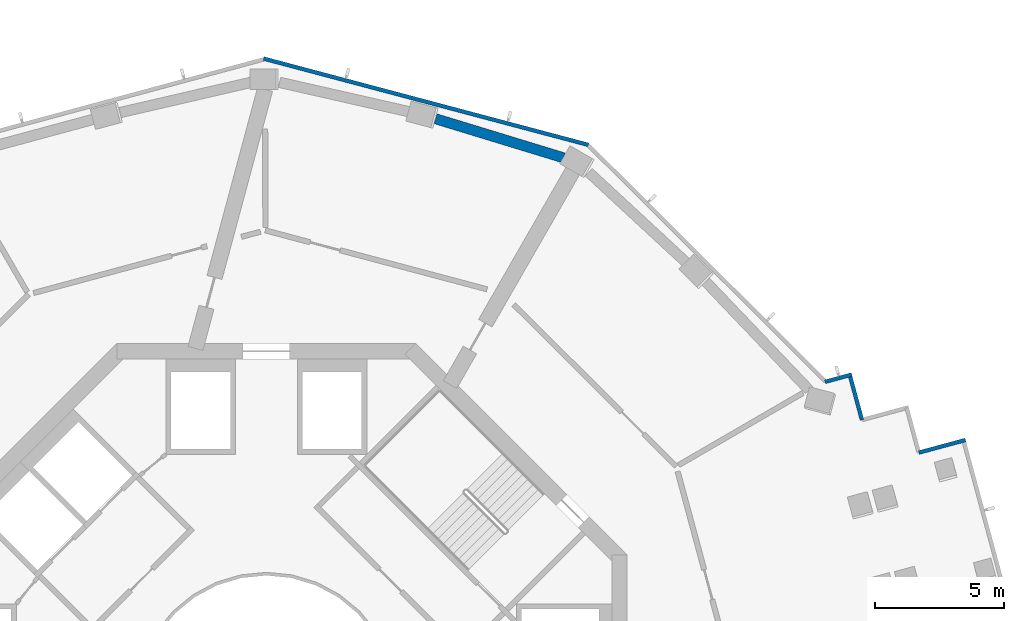
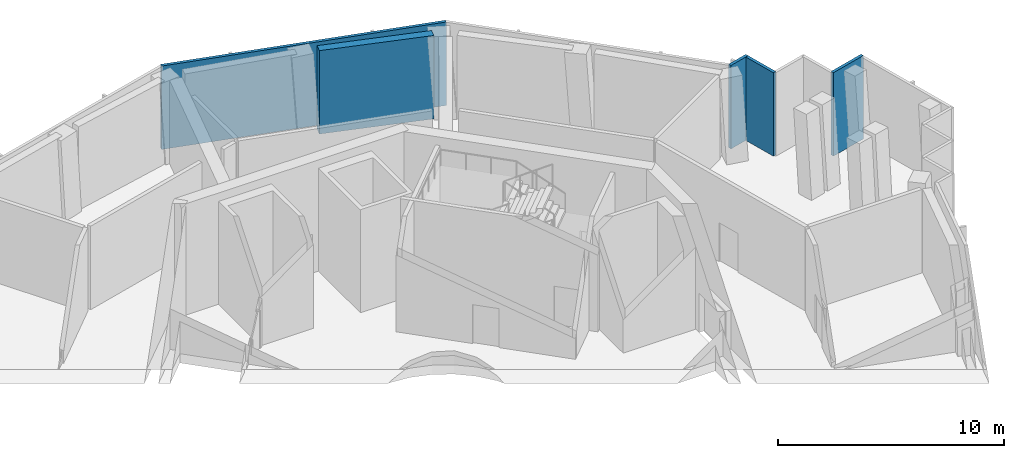
# One storey, part 5 of 16: 5 walls.
"""IFC4 building model written with IfcOpenShell, lengths in metres."""

import ifcopenshell
import ifcopenshell.guid

model = None  # the IFC model being written
_history = None  # IfcOwnerHistory: only IFC2X3 demands one
_inside = {}  # id of a spatial element -> (the spatial element, [elements in it])
_under = {}  # id of a project, library or spatial element -> (it, [spatial elements below it])
_declared = {}  # id of a project -> (the project, [libraries it declares])
_typed = {}  # id of a type object -> (the type object, [elements of that type])
_made_of = {}  # id of a material, layer set ... -> (it, [elements and type objects made of it])


def new_model(schema):
    """Start an empty IFC model of exactly this schema.

    Asked for "IFC4X3", IfcOpenShell would pick the latest addendum, in which some entities
    have other attributes; the version numbers below select the first issue.
    IFC2X3 requires an IfcOwnerHistory on every rooted entity: one is made here for all.
    """
    global model, _history
    if schema == "IFC4X3":
        model = ifcopenshell.file(schema_version=(4, 3, 0, 0))
    else:
        model = ifcopenshell.file(schema=schema)
    _inside.clear()
    _under.clear()
    _declared.clear()
    _typed.clear()
    _made_of.clear()
    _history = None
    if model.schema == "IFC2X3":
        org = make("IfcOrganization", Name="unknown")
        user = make(
            "IfcPersonAndOrganization",
            ThePerson=make("IfcPerson", FamilyName="unknown"),
            TheOrganization=org,
        )
        app = make(
            "IfcApplication",
            ApplicationDeveloper=org,
            Version="unknown",
            ApplicationFullName="unknown",
            ApplicationIdentifier="unknown",
        )
        _history = make(
            "IfcOwnerHistory",
            OwningUser=user,
            OwningApplication=app,
            ChangeAction="ADDED",
            CreationDate=0,
        )
    return model


def make(cls, **values):
    """One entity of the class cls with the attributes given. An attribute that is None is left unset."""
    return model.create_entity(
        cls, **{name: value for name, value in values.items() if value is not None}
    )


def rooted(cls, **values):
    """An entity with a GlobalId (a new one), such as an element, a storey or a relation."""
    return make(cls, GlobalId=ifcopenshell.guid.new(), OwnerHistory=_history, **values)


def si_unit(unit_type, name, prefix=None):
    """IfcSIUnit, for example si_unit("LENGTHUNIT", "METRE", prefix="MILLI")."""
    return make("IfcSIUnit", UnitType=unit_type, Prefix=prefix, Name=name)


def assignment(units):
    """IfcUnitAssignment: the units of a project."""
    return None if units is None else make("IfcUnitAssignment", Units=units)


def point(xyz):
    """IfcCartesianPoint."""
    return None if xyz is None else make("IfcCartesianPoint", Coordinates=xyz)


def direction(xyz):
    """IfcDirection."""
    return None if xyz is None else make("IfcDirection", DirectionRatios=xyz)


def frame(location, z_axis=None, x_axis=None):
    """IfcAxis2Placement3D, a coordinate frame: its origin and axes. An axis left out is left unset."""
    return make(
        "IfcAxis2Placement3D",
        Location=point(location),
        Axis=direction(z_axis),
        RefDirection=direction(x_axis),
    )


def frame_2d(location, x_axis=None):
    """IfcAxis2Placement2D, a coordinate frame in the plane: its origin and x axis."""
    return make(
        "IfcAxis2Placement2D", Location=point(location), RefDirection=direction(x_axis)
    )


def origin():
    """The frame at (0, 0, 0) with its axes left unset."""
    return frame((0.0, 0.0, 0.0))


def place(relative_to, where):
    """IfcLocalPlacement: puts the frame where relative to a parent placement (None: the world)."""
    return make(
        "IfcLocalPlacement", PlacementRelTo=relative_to, RelativePlacement=where
    )


def context(
    kind, dimensions, precision=None, world=None, true_north=None, identifier=None
):
    """IfcGeometricRepresentationContext, for example the 3D "Model" context."""
    return make(
        "IfcGeometricRepresentationContext",
        ContextIdentifier=identifier,
        ContextType=kind,
        CoordinateSpaceDimension=dimensions,
        Precision=precision,
        WorldCoordinateSystem=world,
        TrueNorth=true_north,
    )


def subcontext(parent, identifier, kind, view, scale=None):
    """IfcGeometricRepresentationSubContext, for example "Body" below "Model"."""
    return make(
        "IfcGeometricRepresentationSubContext",
        ContextIdentifier=identifier,
        ContextType=kind,
        ParentContext=parent,
        TargetScale=scale,
        TargetView=view,
    )


def project(units=None, contexts=None):
    """IfcProject with its units and contexts."""
    return rooted(
        "IfcProject",
        Name="project",
        RepresentationContexts=contexts,
        UnitsInContext=assignment(units),
    )


def spatial(cls, under=None, at=None, **own):
    """A site, building, storey or space (cls), placed at a placement, below another one or the project."""
    s = rooted(cls, ObjectPlacement=at, **own)
    if under is not None:
        _under.setdefault(under.id(), (under, []))[1].append(s)
    return s


def profile(cls, at=None, kind="AREA", **sizes):
    """A parametric profile (cls). Its sizes go by their IFC names, for example OverallWidth=200.0."""
    return make(cls, ProfileType=kind, Position=at, **sizes)


def rectangle(**sizes):
    """IfcRectangleProfileDef."""
    return profile("IfcRectangleProfileDef", **sizes)


def extrude(swept, where, along, depth):
    """IfcExtrudedAreaSolid: the profile swept, set in the frame where, extruded along a direction by depth."""
    return make(
        "IfcExtrudedAreaSolid",
        SweptArea=swept,
        Position=where,
        ExtrudedDirection=direction(along),
        Depth=depth,
    )


def shape(context_of_items, identifier, shape_type, items):
    """IfcShapeRepresentation: the items that make up one representation, for example the "Body"."""
    return make(
        "IfcShapeRepresentation",
        ContextOfItems=context_of_items,
        RepresentationIdentifier=identifier,
        RepresentationType=shape_type,
        Items=items,
    )


def material(Name=None, Category=None):
    """IfcMaterial."""
    return make("IfcMaterial", Name=Name, Category=Category)


def layer(
    of_material, thickness, ventilated=None, Name=None, Category=None, Priority=None
):
    """IfcMaterialLayer: one layer of a wall or slab, of a material (None: an air gap)."""
    return make(
        "IfcMaterialLayer",
        Material=of_material,
        LayerThickness=thickness,
        IsVentilated=ventilated,
        Name=Name,
        Category=Category,
        Priority=Priority,
    )


def layer_set(layers, Name=None):
    """IfcMaterialLayerSet."""
    return make("IfcMaterialLayerSet", MaterialLayers=layers, LayerSetName=Name)


def made_of(thing, what):
    """Note that an element or type object is made of a material, layer set ...; save() writes the relation."""
    if what is not None:
        _made_of.setdefault(what.id(), (what, []))[1].append(thing)
    return thing


def type_object(cls, material=None, **own):
    """A type object (cls), such as IfcWallType, which elements share."""
    return made_of(rooted(cls, **own), material)


def element(
    cls,
    number,
    at=None,
    inside=None,
    cuts=None,
    type_object=None,
    material=None,
    context=None,
    identifier="Body",
    shape_type=None,
    held_by="IfcProductDefinitionShape",
    body=None,
    shapes=None,
    **own,
):
    """One element of the class cls, such as IfcWall. Its Tag is "e" and its number.

    at: its placement. inside: the storey or other place that contains it. cuts: it is an
    opening in that element (IfcRelVoidsElement). A single representation is given by context,
    identifier, shape_type and body (its items); several are given by shapes. held_by: the class
    of the entity that holds the representations. save() writes the other relations.
    """
    e = rooted(cls, Tag="e%d" % number, ObjectPlacement=at, **own)
    if body is not None:
        shapes = [shape(context, identifier, shape_type, body)]
    if shapes is not None:
        e.Representation = make(held_by, Representations=shapes)
    if inside is not None:
        _inside.setdefault(inside.id(), (inside, []))[1].append(e)
    if cuts is not None:
        rooted(
            "IfcRelVoidsElement", RelatingBuildingElement=cuts, RelatedOpeningElement=e
        )
    if type_object is not None:
        _typed.setdefault(type_object.id(), (type_object, []))[1].append(e)
    return made_of(e, material)


def aggregate(whole, parts):
    """IfcRelAggregates: a whole, such as a stair, and the parts it consists of."""
    return rooted("IfcRelAggregates", RelatingObject=whole, RelatedObjects=parts)


def save(model, path):
    """Write the relations noted so far, then the file.

    IfcRelAggregates (storeys below a building ...), IfcRelContainedInSpatialStructure (elements
    in a storey), IfcRelDefinesByType, IfcRelAssociatesMaterial and IfcRelDeclares: one each for
    every whole, place, type object, material and project.
    """
    for whole, parts in _under.values():
        aggregate(whole, parts)
    for where, things in _inside.values():
        rooted(
            "IfcRelContainedInSpatialStructure",
            RelatedElements=things,
            RelatingStructure=where,
        )
    for kind, things in _typed.values():
        rooted("IfcRelDefinesByType", RelatedObjects=things, RelatingType=kind)
    for what, things in _made_of.values():
        rooted("IfcRelAssociatesMaterial", RelatedObjects=things, RelatingMaterial=what)
    for by, libraries in _declared.values():
        rooted("IfcRelDeclares", RelatingContext=by, RelatedDefinitions=libraries)
    model.write(path)


model = new_model("IFC4")

# Units and contexts
model_context = context("Model", 3, precision=1e-05, world=origin(), true_north=direction((0.0, 1.0)))
body_context = subcontext(model_context, "Body", "Model", "MODEL_VIEW")
ifc_project = project(units=[si_unit("LENGTHUNIT", "METRE"), si_unit("AREAUNIT", "SQUARE_METRE"), si_unit("VOLUMEUNIT", "CUBIC_METRE"), si_unit("PLANEANGLEUNIT", "RADIAN"), si_unit("MASSUNIT", "GRAM", prefix="KILO")], contexts=[model_context])

# Site, building, storey
site_placement = place(None, origin())
site = spatial("IfcSite", under=ifc_project, at=site_placement, CompositionType="ELEMENT")
building_placement = place(site_placement, origin())
building = spatial("IfcBuilding", under=site, at=building_placement, Name="Verdalira Terraces Hotel", CompositionType="ELEMENT")
storey_placement = place(building_placement, frame((0.0, 0.0, 216.0)))
storey = spatial("IfcBuildingStorey", under=building, at=storey_placement, Name="L53", CompositionType="ELEMENT", Elevation=216.0)

# Walls
ifc_material_1 = material(Name="Concrete C70", Category="concrete")
ifc_layer_1 = layer(ifc_material_1, 0.39990234375)
ifc_layer_set_1 = layer_set([ifc_layer_1], Name="Belt wall 400 C70")
wall_type_1 = type_object("IfcWallType", Name="Belt wall 400 C70", PredefinedType="SHEAR", material=ifc_layer_set_1)
wall_1_placement = place(storey_placement, frame((11.531738, 21.198975, 0.0), z_axis=(0.0, 0.0, 1.0), x_axis=(-0.956410334, 0.29202615, 0.0)))
element("IfcWall", 1, at=wall_1_placement, inside=storey, type_object=wall_type_1, Name="Belt wall BW-53-15", PredefinedType="SHEAR", context=body_context, shape_type="SweptSolid", body=[
    extrude(rectangle(XDim=5.190918, YDim=0.399902, at=frame_2d((2.595459, 0.0))), origin(), (0.0, 0.0, 1.0), 4.5),
])
ifc_material_2 = material(Name="Terracotta cladding", Category="masonry")
ifc_layer_2 = layer(ifc_material_2, 0.14990234375)
ifc_layer_set_2 = layer_set([ifc_layer_2], Name="Terracotta clad wall 150")
wall_type_2 = type_object("IfcWallType", Name="Terracotta clad wall 150", PredefinedType="SOLIDWALL", material=ifc_layer_set_2)
wall_2_placement = place(storey_placement, frame((27.122314, 10.254639, 0.0), z_axis=(0.0, 0.0, 1.0), x_axis=(-0.965389094, -0.260813914, 0.0)))
element("IfcWall", 2, at=wall_2_placement, inside=storey, type_object=wall_type_2, Name="Terracotta cladding wall", PredefinedType="SOLIDWALL", context=body_context, shape_type="SweptSolid", body=[
    extrude(rectangle(XDim=1.875, YDim=0.149902, at=frame_2d((0.9375, 0.0))), origin(), (0.0, 0.0, 1.0), 4.5),
])
wall_3_placement = place(storey_placement, frame((23.105225, 11.033691, 0.0), z_axis=(0.0, 0.0, 1.0), x_axis=(-0.260936353, 0.965356007, 0.0)))
element("IfcWall", 3, at=wall_3_placement, inside=storey, type_object=wall_type_2, Name="Terracotta cladding wall", PredefinedType="SOLIDWALL", context=body_context, shape_type="SweptSolid", body=[
    extrude(rectangle(XDim=1.800049, YDim=0.149902, at=frame_2d((0.899902, 0.0))), origin(), (0.0, 0.0, 1.0), 4.5),
])
wall_4_placement = place(storey_placement, frame((22.708008, 12.791016, 0.0), z_axis=(0.0, 0.0, 1.0), x_axis=(-0.965358755, -0.260926184, 0.0)))
element("IfcWall", 4, at=wall_4_placement, inside=storey, type_object=wall_type_2, Name="Terracotta cladding wall", PredefinedType="SOLIDWALL", context=body_context, shape_type="SweptSolid", body=[
    extrude(rectangle(XDim=1.075195, YDim=0.149902, at=frame_2d((0.537598, 0.0))), origin(), (0.0, 0.0, 1.0), 4.5),
])
wall_5_placement = place(storey_placement, frame((12.492188, 21.703125, 0.0), z_axis=(0.0, 0.0, 1.0), x_axis=(-0.966463049, 0.256805714, 0.0)))
element("IfcWall", 5, at=wall_5_placement, inside=storey, type_object=wall_type_2, Name="Terracotta cladding wall", PredefinedType="SOLIDWALL", context=body_context, shape_type="SweptSolid", body=[
    extrude(rectangle(XDim=13.034912, YDim=0.149902, at=frame_2d((6.517578, 0.0))), origin(), (0.0, 0.0, 1.0), 4.5),
])

save(model, "model.ifc")
